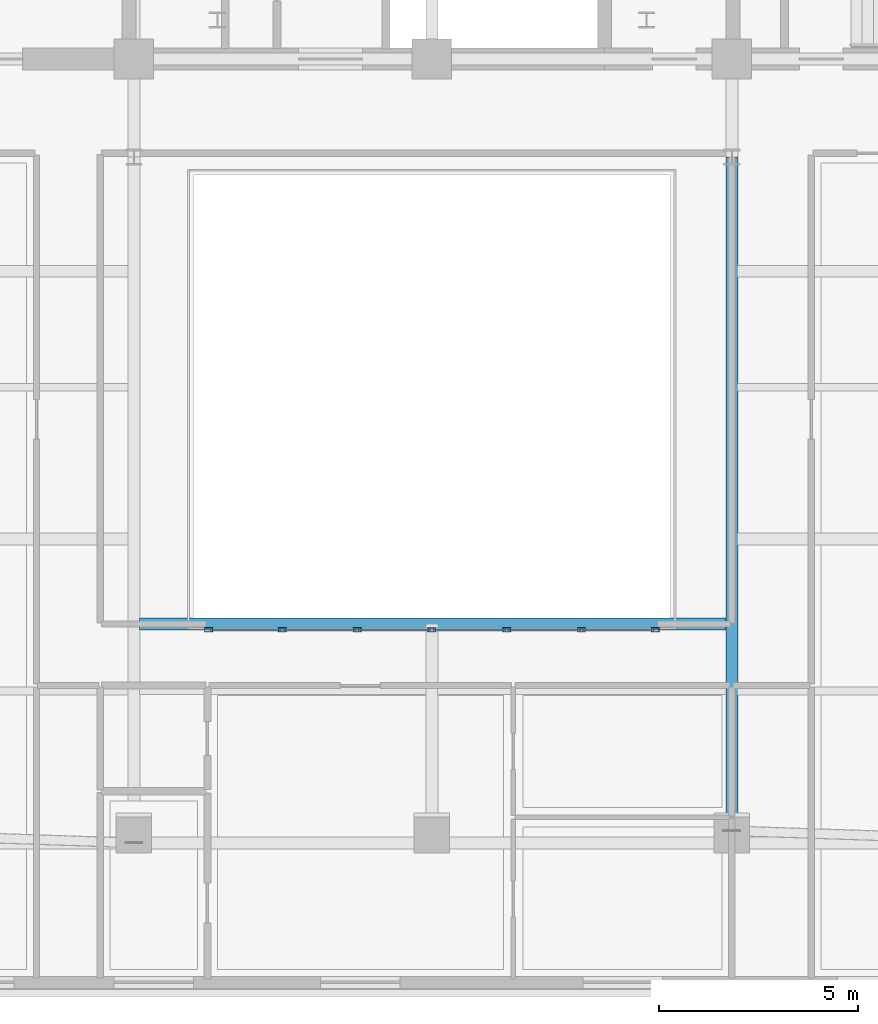
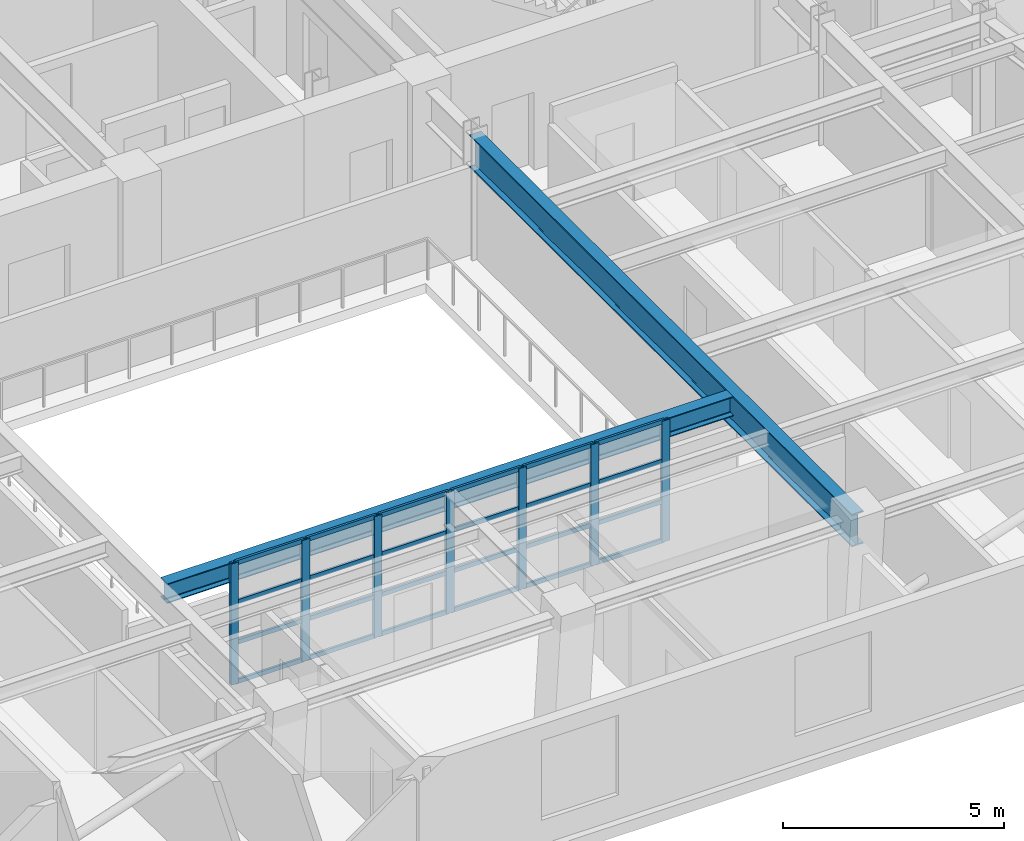
# One storey, part 2 of 15: 31 members, 2 beams, 1 element without a shape of its own.
"""IFC4 building model written with IfcOpenShell, lengths in metres."""

import ifcopenshell
import ifcopenshell.guid

model = None  # the IFC model being written
_history = None  # IfcOwnerHistory: only IFC2X3 demands one
_inside = {}  # id of a spatial element -> (the spatial element, [elements in it])
_under = {}  # id of a project, library or spatial element -> (it, [spatial elements below it])
_declared = {}  # id of a project -> (the project, [libraries it declares])
_typed = {}  # id of a type object -> (the type object, [elements of that type])
_made_of = {}  # id of a material, layer set ... -> (it, [elements and type objects made of it])


def new_model(schema):
    """Start an empty IFC model of exactly this schema.

    Asked for "IFC4X3", IfcOpenShell would pick the latest addendum, in which some entities
    have other attributes; the version numbers below select the first issue.
    IFC2X3 requires an IfcOwnerHistory on every rooted entity: one is made here for all.
    """
    global model, _history
    if schema == "IFC4X3":
        model = ifcopenshell.file(schema_version=(4, 3, 0, 0))
    else:
        model = ifcopenshell.file(schema=schema)
    _inside.clear()
    _under.clear()
    _declared.clear()
    _typed.clear()
    _made_of.clear()
    _history = None
    if model.schema == "IFC2X3":
        org = make("IfcOrganization", Name="unknown")
        user = make(
            "IfcPersonAndOrganization",
            ThePerson=make("IfcPerson", FamilyName="unknown"),
            TheOrganization=org,
        )
        app = make(
            "IfcApplication",
            ApplicationDeveloper=org,
            Version="unknown",
            ApplicationFullName="unknown",
            ApplicationIdentifier="unknown",
        )
        _history = make(
            "IfcOwnerHistory",
            OwningUser=user,
            OwningApplication=app,
            ChangeAction="ADDED",
            CreationDate=0,
        )
    return model


def make(cls, **values):
    """One entity of the class cls with the attributes given. An attribute that is None is left unset."""
    return model.create_entity(
        cls, **{name: value for name, value in values.items() if value is not None}
    )


def rooted(cls, **values):
    """An entity with a GlobalId (a new one), such as an element, a storey or a relation."""
    return make(cls, GlobalId=ifcopenshell.guid.new(), OwnerHistory=_history, **values)


def si_unit(unit_type, name, prefix=None):
    """IfcSIUnit, for example si_unit("LENGTHUNIT", "METRE", prefix="MILLI")."""
    return make("IfcSIUnit", UnitType=unit_type, Prefix=prefix, Name=name)


def assignment(units):
    """IfcUnitAssignment: the units of a project."""
    return None if units is None else make("IfcUnitAssignment", Units=units)


def point(xyz):
    """IfcCartesianPoint."""
    return None if xyz is None else make("IfcCartesianPoint", Coordinates=xyz)


def direction(xyz):
    """IfcDirection."""
    return None if xyz is None else make("IfcDirection", DirectionRatios=xyz)


def frame(location, z_axis=None, x_axis=None):
    """IfcAxis2Placement3D, a coordinate frame: its origin and axes. An axis left out is left unset."""
    return make(
        "IfcAxis2Placement3D",
        Location=point(location),
        Axis=direction(z_axis),
        RefDirection=direction(x_axis),
    )


def frame_2d(location, x_axis=None):
    """IfcAxis2Placement2D, a coordinate frame in the plane: its origin and x axis."""
    return make(
        "IfcAxis2Placement2D", Location=point(location), RefDirection=direction(x_axis)
    )


def origin():
    """The frame at (0, 0, 0) with its axes left unset."""
    return frame((0.0, 0.0, 0.0))


def origin_2d():
    """The frame at (0, 0) in the plane with its x axis left unset."""
    return frame_2d((0.0, 0.0))


def place(relative_to, where):
    """IfcLocalPlacement: puts the frame where relative to a parent placement (None: the world)."""
    return make(
        "IfcLocalPlacement", PlacementRelTo=relative_to, RelativePlacement=where
    )


def context(
    kind, dimensions, precision=None, world=None, true_north=None, identifier=None
):
    """IfcGeometricRepresentationContext, for example the 3D "Model" context."""
    return make(
        "IfcGeometricRepresentationContext",
        ContextIdentifier=identifier,
        ContextType=kind,
        CoordinateSpaceDimension=dimensions,
        Precision=precision,
        WorldCoordinateSystem=world,
        TrueNorth=true_north,
    )


def subcontext(parent, identifier, kind, view, scale=None):
    """IfcGeometricRepresentationSubContext, for example "Body" below "Model"."""
    return make(
        "IfcGeometricRepresentationSubContext",
        ContextIdentifier=identifier,
        ContextType=kind,
        ParentContext=parent,
        TargetScale=scale,
        TargetView=view,
    )


def project(units=None, contexts=None):
    """IfcProject with its units and contexts."""
    return rooted(
        "IfcProject",
        Name="project",
        RepresentationContexts=contexts,
        UnitsInContext=assignment(units),
    )


def spatial(cls, under=None, at=None, **own):
    """A site, building, storey or space (cls), placed at a placement, below another one or the project."""
    s = rooted(cls, ObjectPlacement=at, **own)
    if under is not None:
        _under.setdefault(under.id(), (under, []))[1].append(s)
    return s


def profile(cls, at=None, kind="AREA", **sizes):
    """A parametric profile (cls). Its sizes go by their IFC names, for example OverallWidth=200.0."""
    return make(cls, ProfileType=kind, Position=at, **sizes)


def hollow_rectangle(**sizes):
    """IfcRectangleHollowProfileDef."""
    return profile("IfcRectangleHollowProfileDef", **sizes)


def i_section(**sizes):
    """IfcIShapeProfileDef."""
    return profile("IfcIShapeProfileDef", **sizes)


def extrude(swept, where, along, depth):
    """IfcExtrudedAreaSolid: the profile swept, set in the frame where, extruded along a direction by depth."""
    return make(
        "IfcExtrudedAreaSolid",
        SweptArea=swept,
        Position=where,
        ExtrudedDirection=direction(along),
        Depth=depth,
    )


def shape(context_of_items, identifier, shape_type, items):
    """IfcShapeRepresentation: the items that make up one representation, for example the "Body"."""
    return make(
        "IfcShapeRepresentation",
        ContextOfItems=context_of_items,
        RepresentationIdentifier=identifier,
        RepresentationType=shape_type,
        Items=items,
    )


def material(Name=None, Category=None):
    """IfcMaterial."""
    return make("IfcMaterial", Name=Name, Category=Category)


def layer(
    of_material, thickness, ventilated=None, Name=None, Category=None, Priority=None
):
    """IfcMaterialLayer: one layer of a wall or slab, of a material (None: an air gap)."""
    return make(
        "IfcMaterialLayer",
        Material=of_material,
        LayerThickness=thickness,
        IsVentilated=ventilated,
        Name=Name,
        Category=Category,
        Priority=Priority,
    )


def layer_set(layers, Name=None):
    """IfcMaterialLayerSet."""
    return make("IfcMaterialLayerSet", MaterialLayers=layers, LayerSetName=Name)


def material_profile(
    of_material, cross_section, Name=None, Category=None, Priority=None
):
    """IfcMaterialProfile: a cross section and its material."""
    return make(
        "IfcMaterialProfile",
        Name=Name,
        Material=of_material,
        Profile=cross_section,
        Priority=Priority,
        Category=Category,
    )


def profile_set(profiles, Name=None, composite=None):
    """IfcMaterialProfileSet."""
    return make(
        "IfcMaterialProfileSet",
        Name=Name,
        MaterialProfiles=profiles,
        CompositeProfile=composite,
    )


def made_of(thing, what):
    """Note that an element or type object is made of a material, layer set ...; save() writes the relation."""
    if what is not None:
        _made_of.setdefault(what.id(), (what, []))[1].append(thing)
    return thing


def type_object(cls, material=None, **own):
    """A type object (cls), such as IfcWallType, which elements share."""
    return made_of(rooted(cls, **own), material)


def element(
    cls,
    number,
    at=None,
    inside=None,
    cuts=None,
    type_object=None,
    material=None,
    context=None,
    identifier="Body",
    shape_type=None,
    held_by="IfcProductDefinitionShape",
    body=None,
    shapes=None,
    **own,
):
    """One element of the class cls, such as IfcWall. Its Tag is "e" and its number.

    at: its placement. inside: the storey or other place that contains it. cuts: it is an
    opening in that element (IfcRelVoidsElement). A single representation is given by context,
    identifier, shape_type and body (its items); several are given by shapes. held_by: the class
    of the entity that holds the representations. save() writes the other relations.
    """
    e = rooted(cls, Tag="e%d" % number, ObjectPlacement=at, **own)
    if body is not None:
        shapes = [shape(context, identifier, shape_type, body)]
    if shapes is not None:
        e.Representation = make(held_by, Representations=shapes)
    if inside is not None:
        _inside.setdefault(inside.id(), (inside, []))[1].append(e)
    if cuts is not None:
        rooted(
            "IfcRelVoidsElement", RelatingBuildingElement=cuts, RelatedOpeningElement=e
        )
    if type_object is not None:
        _typed.setdefault(type_object.id(), (type_object, []))[1].append(e)
    return made_of(e, material)


def aggregate(whole, parts):
    """IfcRelAggregates: a whole, such as a stair, and the parts it consists of."""
    return rooted("IfcRelAggregates", RelatingObject=whole, RelatedObjects=parts)


def save(model, path):
    """Write the relations noted so far, then the file.

    IfcRelAggregates (storeys below a building ...), IfcRelContainedInSpatialStructure (elements
    in a storey), IfcRelDefinesByType, IfcRelAssociatesMaterial and IfcRelDeclares: one each for
    every whole, place, type object, material and project.
    """
    for whole, parts in _under.values():
        aggregate(whole, parts)
    for where, things in _inside.values():
        rooted(
            "IfcRelContainedInSpatialStructure",
            RelatedElements=things,
            RelatingStructure=where,
        )
    for kind, things in _typed.values():
        rooted("IfcRelDefinesByType", RelatedObjects=things, RelatingType=kind)
    for what, things in _made_of.values():
        rooted("IfcRelAssociatesMaterial", RelatedObjects=things, RelatingMaterial=what)
    for by, libraries in _declared.values():
        rooted("IfcRelDeclares", RelatingContext=by, RelatedDefinitions=libraries)
    model.write(path)


model = new_model("IFC4")

# Units and contexts
model_context = context("Model", 3, precision=1e-05, world=origin(), true_north=direction((0.0, 1.0)))
body_context = subcontext(model_context, "Body", "Model", "MODEL_VIEW")
ifc_project = project(units=[si_unit("LENGTHUNIT", "METRE"), si_unit("AREAUNIT", "SQUARE_METRE"), si_unit("VOLUMEUNIT", "CUBIC_METRE"), si_unit("PLANEANGLEUNIT", "RADIAN"), si_unit("MASSUNIT", "GRAM", prefix="KILO")], contexts=[model_context])

# Site, building, storey
site_placement = place(None, origin())
site = spatial("IfcSite", under=ifc_project, at=site_placement, CompositionType="ELEMENT")
building_placement = place(site_placement, origin())
building = spatial("IfcBuilding", under=site, at=building_placement, Name="Zarnavel Station Tower", CompositionType="ELEMENT")
storey_placement = place(building_placement, frame((0.0, 0.0, 196.800048828125)))
storey = spatial("IfcBuildingStorey", under=building, at=storey_placement, Name="L53", CompositionType="ELEMENT", Elevation=196.800048828125)

# Curtain wall, members
ifc_material_1 = material(Name="Aluminium Dark Anodised and Solar-Control Glass", Category="aluminium")
ifc_layer = layer(ifc_material_1, 0.179931640625)
ifc_layer_set = layer_set([ifc_layer], Name="CWS5")
curtain_wall_type = type_object("IfcCurtainWallType", Name="CWS5", PredefinedType="NOTDEFINED", material=ifc_layer_set)
curtain_wall_placement = place(storey_placement, origin())
curtain_wall = element("IfcCurtainWall", 1, at=curtain_wall_placement, inside=storey, type_object=curtain_wall_type, Name="L53 Curtain Wall CWS5-L53-AS", PredefinedType="NOTDEFINED")
ifc_material_2 = material(Name="Steel S355J2 (Black Fluoropolymer Coated)", Category="steel")
ifc_material_profile_1 = material_profile(ifc_material_2, hollow_rectangle(XDim=0.10009765625, YDim=0.199951171875, WallThickness=0.008056640625, at=origin_2d()), Name="RHS200x100x8")
ifc_profile_set_1 = profile_set([ifc_material_profile_1], Name="Steel S355J2 (Black Fluoropolymer Coated)")
member_type_1 = type_object("IfcMemberType", Name="CWS5_MUL", PredefinedType="MULLION", material=ifc_profile_set_1)
member_1_placement = place(storey_placement, frame((23.179931640625, 13.449951171875, 0.0), z_axis=(0.0, 0.0, 1.0), x_axis=(0.0, 1.0, 0.0)))
member_1 = element("IfcMember", 2, at=member_1_placement, type_object=member_type_1, Name="CW5 mullion 1", PredefinedType="MULLION", context=body_context, shape_type="SweptSolid", body=[
    extrude(hollow_rectangle(XDim=0.10009765625, YDim=0.199951171875, WallThickness=0.008056640625, at=origin_2d()), origin(), (0.0, 0.0, 1.0), 3.33984375),
])
member_2_placement = place(storey_placement, frame((25.033447265625, 13.449951171875, 0.0), z_axis=(0.0, 0.0, 1.0), x_axis=(0.0, 1.0, 0.0)))
member_2 = element("IfcMember", 3, at=member_2_placement, type_object=member_type_1, Name="CW5 mullion 2", PredefinedType="MULLION", context=body_context, shape_type="SweptSolid", body=[
    extrude(hollow_rectangle(XDim=0.10009765625, YDim=0.199951171875, WallThickness=0.008056640625, at=origin_2d()), origin(), (0.0, 0.0, 1.0), 3.33984375),
])
member_3_placement = place(storey_placement, frame((26.916748046875, 13.449951171875, 0.0), z_axis=(0.0, 0.0, 1.0), x_axis=(0.0, 1.0, 0.0)))
member_3 = element("IfcMember", 4, at=member_3_placement, type_object=member_type_1, Name="CW5 mullion 3", PredefinedType="MULLION", context=body_context, shape_type="SweptSolid", body=[
    extrude(hollow_rectangle(XDim=0.10009765625, YDim=0.199951171875, WallThickness=0.008056640625, at=origin_2d()), origin(), (0.0, 0.0, 1.0), 3.33984375),
])
member_4_placement = place(storey_placement, frame((28.800048828125, 13.449951171875, 0.0), z_axis=(0.0, 0.0, 1.0), x_axis=(0.0, 1.0, 0.0)))
member_4 = element("IfcMember", 5, at=member_4_placement, type_object=member_type_1, Name="CW5 mullion 4", PredefinedType="MULLION", context=body_context, shape_type="SweptSolid", body=[
    extrude(hollow_rectangle(XDim=0.10009765625, YDim=0.199951171875, WallThickness=0.008056640625, at=origin_2d()), origin(), (0.0, 0.0, 1.0), 3.33984375),
])
member_5_placement = place(storey_placement, frame((30.683349609375, 13.449951171875, 0.0), z_axis=(0.0, 0.0, 1.0), x_axis=(0.0, 1.0, 0.0)))
member_5 = element("IfcMember", 6, at=member_5_placement, type_object=member_type_1, Name="CW5 mullion 5", PredefinedType="MULLION", context=body_context, shape_type="SweptSolid", body=[
    extrude(hollow_rectangle(XDim=0.10009765625, YDim=0.199951171875, WallThickness=0.008056640625, at=origin_2d()), origin(), (0.0, 0.0, 1.0), 3.33984375),
])
member_6_placement = place(storey_placement, frame((32.566650390625, 13.449951171875, 0.0), z_axis=(0.0, 0.0, 1.0), x_axis=(0.0, 1.0, 0.0)))
member_6 = element("IfcMember", 7, at=member_6_placement, type_object=member_type_1, Name="CW5 mullion 6", PredefinedType="MULLION", context=body_context, shape_type="SweptSolid", body=[
    extrude(hollow_rectangle(XDim=0.10009765625, YDim=0.199951171875, WallThickness=0.008056640625, at=origin_2d()), origin(), (0.0, 0.0, 1.0), 3.33984375),
])
member_7_placement = place(storey_placement, frame((34.419921875, 13.449951171875, 0.0), z_axis=(0.0, 0.0, 1.0), x_axis=(0.0, 1.0, 0.0)))
member_7 = element("IfcMember", 8, at=member_7_placement, type_object=member_type_1, Name="CW5 mullion 7", PredefinedType="MULLION", context=body_context, shape_type="SweptSolid", body=[
    extrude(hollow_rectangle(XDim=0.10009765625, YDim=0.199951171875, WallThickness=0.008056640625, at=origin_2d()), origin(), (0.0, 0.0, 1.0), 3.33984375),
])
ifc_material_3 = material(Name="Steel S355J2 (Black Fluoropolymer Coated)", Category="steel")
ifc_material_profile_2 = material_profile(ifc_material_3, hollow_rectangle(XDim=0.06005859375, YDim=0.1201171875, WallThickness=0.0048828125, at=origin_2d()), Name="RHS120x60x5")
ifc_profile_set_2 = profile_set([ifc_material_profile_2], Name="Steel S355J2 (Black Fluoropolymer Coated)")
member_type_2 = type_object("IfcMemberType", Name="CWS5_TRN", PredefinedType="USERDEFINED", material=ifc_profile_set_2)
member_8_placement = place(storey_placement, frame((23.2099609375, 13.449951171875, 0.030029296875), z_axis=(1.0, 0.0, 0.0), x_axis=(0.0, 1.0, 0.0)))
member_8 = element("IfcMember", 9, at=member_8_placement, type_object=member_type_2, Name="CW5 transom 1.1", ObjectType="TRANSOM", PredefinedType="USERDEFINED", context=body_context, shape_type="SweptSolid", body=[
    extrude(hollow_rectangle(XDim=0.06005859375, YDim=0.1201171875, WallThickness=0.0048828125, at=origin_2d()), origin(), (0.0, 0.0, 1.0), 1.79345703125),
])
member_9_placement = place(storey_placement, frame((23.2099609375, 13.449951171875, 1.11328125), z_axis=(1.0, 0.0, 0.0), x_axis=(0.0, 1.0, 0.0)))
member_9 = element("IfcMember", 10, at=member_9_placement, type_object=member_type_2, Name="CW5 transom 1.2", ObjectType="TRANSOM", PredefinedType="USERDEFINED", context=body_context, shape_type="SweptSolid", body=[
    extrude(hollow_rectangle(XDim=0.06005859375, YDim=0.1201171875, WallThickness=0.0048828125, at=origin_2d()), origin(), (0.0, 0.0, 1.0), 1.79345703125),
])
member_10_placement = place(storey_placement, frame((23.2099609375, 13.449951171875, 2.2265625), z_axis=(1.0, 0.0, 0.0), x_axis=(0.0, 1.0, 0.0)))
member_10 = element("IfcMember", 11, at=member_10_placement, type_object=member_type_2, Name="CW5 transom 1.3", ObjectType="TRANSOM", PredefinedType="USERDEFINED", context=body_context, shape_type="SweptSolid", body=[
    extrude(hollow_rectangle(XDim=0.06005859375, YDim=0.1201171875, WallThickness=0.0048828125, at=origin_2d()), origin(), (0.0, 0.0, 1.0), 1.79345703125),
])
member_11_placement = place(storey_placement, frame((23.2099609375, 13.449951171875, 3.31005859375), z_axis=(1.0, 0.0, 0.0), x_axis=(0.0, 1.0, 0.0)))
member_11 = element("IfcMember", 12, at=member_11_placement, type_object=member_type_2, Name="CW5 transom 1.4", ObjectType="TRANSOM", PredefinedType="USERDEFINED", context=body_context, shape_type="SweptSolid", body=[
    extrude(hollow_rectangle(XDim=0.06005859375, YDim=0.1201171875, WallThickness=0.0048828125, at=origin_2d()), origin(), (0.0, 0.0, 1.0), 1.79345703125),
])
member_12_placement = place(storey_placement, frame((25.063232421875, 13.449951171875, 0.030029296875), z_axis=(1.0, 0.0, 0.0), x_axis=(0.0, 1.0, 0.0)))
member_12 = element("IfcMember", 13, at=member_12_placement, type_object=member_type_2, Name="CW5 transom 2.1", ObjectType="TRANSOM", PredefinedType="USERDEFINED", context=body_context, shape_type="SweptSolid", body=[
    extrude(hollow_rectangle(XDim=0.06005859375, YDim=0.1201171875, WallThickness=0.0048828125, at=origin_2d()), origin(), (0.0, 0.0, 1.0), 1.823486328125),
])
member_13_placement = place(storey_placement, frame((25.063232421875, 13.449951171875, 1.11328125), z_axis=(1.0, 0.0, 0.0), x_axis=(0.0, 1.0, 0.0)))
member_13 = element("IfcMember", 14, at=member_13_placement, type_object=member_type_2, Name="CW5 transom 2.2", ObjectType="TRANSOM", PredefinedType="USERDEFINED", context=body_context, shape_type="SweptSolid", body=[
    extrude(hollow_rectangle(XDim=0.06005859375, YDim=0.1201171875, WallThickness=0.0048828125, at=origin_2d()), origin(), (0.0, 0.0, 1.0), 1.823486328125),
])
member_14_placement = place(storey_placement, frame((25.063232421875, 13.449951171875, 2.2265625), z_axis=(1.0, 0.0, 0.0), x_axis=(0.0, 1.0, 0.0)))
member_14 = element("IfcMember", 15, at=member_14_placement, type_object=member_type_2, Name="CW5 transom 2.3", ObjectType="TRANSOM", PredefinedType="USERDEFINED", context=body_context, shape_type="SweptSolid", body=[
    extrude(hollow_rectangle(XDim=0.06005859375, YDim=0.1201171875, WallThickness=0.0048828125, at=origin_2d()), origin(), (0.0, 0.0, 1.0), 1.823486328125),
])
member_15_placement = place(storey_placement, frame((25.063232421875, 13.449951171875, 3.31005859375), z_axis=(1.0, 0.0, 0.0), x_axis=(0.0, 1.0, 0.0)))
member_15 = element("IfcMember", 16, at=member_15_placement, type_object=member_type_2, Name="CW5 transom 2.4", ObjectType="TRANSOM", PredefinedType="USERDEFINED", context=body_context, shape_type="SweptSolid", body=[
    extrude(hollow_rectangle(XDim=0.06005859375, YDim=0.1201171875, WallThickness=0.0048828125, at=origin_2d()), origin(), (0.0, 0.0, 1.0), 1.823486328125),
])
member_16_placement = place(storey_placement, frame((26.94677734375, 13.449951171875, 0.030029296875), z_axis=(1.0, 0.0, 0.0), x_axis=(0.0, 1.0, 0.0)))
member_16 = element("IfcMember", 17, at=member_16_placement, type_object=member_type_2, Name="CW5 transom 3.1", ObjectType="TRANSOM", PredefinedType="USERDEFINED", context=body_context, shape_type="SweptSolid", body=[
    extrude(hollow_rectangle(XDim=0.06005859375, YDim=0.1201171875, WallThickness=0.0048828125, at=origin_2d()), origin(), (0.0, 0.0, 1.0), 1.8232421875),
])
member_17_placement = place(storey_placement, frame((26.94677734375, 13.449951171875, 1.11328125), z_axis=(1.0, 0.0, 0.0), x_axis=(0.0, 1.0, 0.0)))
member_17 = element("IfcMember", 18, at=member_17_placement, type_object=member_type_2, Name="CW5 transom 3.2", ObjectType="TRANSOM", PredefinedType="USERDEFINED", context=body_context, shape_type="SweptSolid", body=[
    extrude(hollow_rectangle(XDim=0.06005859375, YDim=0.1201171875, WallThickness=0.0048828125, at=origin_2d()), origin(), (0.0, 0.0, 1.0), 1.8232421875),
])
member_18_placement = place(storey_placement, frame((26.94677734375, 13.449951171875, 2.2265625), z_axis=(1.0, 0.0, 0.0), x_axis=(0.0, 1.0, 0.0)))
member_18 = element("IfcMember", 19, at=member_18_placement, type_object=member_type_2, Name="CW5 transom 3.3", ObjectType="TRANSOM", PredefinedType="USERDEFINED", context=body_context, shape_type="SweptSolid", body=[
    extrude(hollow_rectangle(XDim=0.06005859375, YDim=0.1201171875, WallThickness=0.0048828125, at=origin_2d()), origin(), (0.0, 0.0, 1.0), 1.8232421875),
])
member_19_placement = place(storey_placement, frame((26.94677734375, 13.449951171875, 3.31005859375), z_axis=(1.0, 0.0, 0.0), x_axis=(0.0, 1.0, 0.0)))
member_19 = element("IfcMember", 20, at=member_19_placement, type_object=member_type_2, Name="CW5 transom 3.4", ObjectType="TRANSOM", PredefinedType="USERDEFINED", context=body_context, shape_type="SweptSolid", body=[
    extrude(hollow_rectangle(XDim=0.06005859375, YDim=0.1201171875, WallThickness=0.0048828125, at=origin_2d()), origin(), (0.0, 0.0, 1.0), 1.8232421875),
])
member_20_placement = place(storey_placement, frame((28.830078125, 13.449951171875, 0.030029296875), z_axis=(1.0, 0.0, 0.0), x_axis=(0.0, 1.0, 0.0)))
member_20 = element("IfcMember", 21, at=member_20_placement, type_object=member_type_2, Name="CW5 transom 4.1", ObjectType="TRANSOM", PredefinedType="USERDEFINED", context=body_context, shape_type="SweptSolid", body=[
    extrude(hollow_rectangle(XDim=0.06005859375, YDim=0.1201171875, WallThickness=0.0048828125, at=origin_2d()), origin(), (0.0, 0.0, 1.0), 1.8232421875),
])
member_21_placement = place(storey_placement, frame((28.830078125, 13.449951171875, 1.11328125), z_axis=(1.0, 0.0, 0.0), x_axis=(0.0, 1.0, 0.0)))
member_21 = element("IfcMember", 22, at=member_21_placement, type_object=member_type_2, Name="CW5 transom 4.2", ObjectType="TRANSOM", PredefinedType="USERDEFINED", context=body_context, shape_type="SweptSolid", body=[
    extrude(hollow_rectangle(XDim=0.06005859375, YDim=0.1201171875, WallThickness=0.0048828125, at=origin_2d()), origin(), (0.0, 0.0, 1.0), 1.8232421875),
])
member_22_placement = place(storey_placement, frame((28.830078125, 13.449951171875, 2.2265625), z_axis=(1.0, 0.0, 0.0), x_axis=(0.0, 1.0, 0.0)))
member_22 = element("IfcMember", 23, at=member_22_placement, type_object=member_type_2, Name="CW5 transom 4.3", ObjectType="TRANSOM", PredefinedType="USERDEFINED", context=body_context, shape_type="SweptSolid", body=[
    extrude(hollow_rectangle(XDim=0.06005859375, YDim=0.1201171875, WallThickness=0.0048828125, at=origin_2d()), origin(), (0.0, 0.0, 1.0), 1.8232421875),
])
member_23_placement = place(storey_placement, frame((28.830078125, 13.449951171875, 3.31005859375), z_axis=(1.0, 0.0, 0.0), x_axis=(0.0, 1.0, 0.0)))
member_23 = element("IfcMember", 24, at=member_23_placement, type_object=member_type_2, Name="CW5 transom 4.4", ObjectType="TRANSOM", PredefinedType="USERDEFINED", context=body_context, shape_type="SweptSolid", body=[
    extrude(hollow_rectangle(XDim=0.06005859375, YDim=0.1201171875, WallThickness=0.0048828125, at=origin_2d()), origin(), (0.0, 0.0, 1.0), 1.8232421875),
])
member_24_placement = place(storey_placement, frame((30.71337890625, 13.449951171875, 0.030029296875), z_axis=(1.0, 0.0, 0.0), x_axis=(0.0, 1.0, 0.0)))
member_24 = element("IfcMember", 25, at=member_24_placement, type_object=member_type_2, Name="CW5 transom 5.1", ObjectType="TRANSOM", PredefinedType="USERDEFINED", context=body_context, shape_type="SweptSolid", body=[
    extrude(hollow_rectangle(XDim=0.06005859375, YDim=0.1201171875, WallThickness=0.0048828125, at=origin_2d()), origin(), (0.0, 0.0, 1.0), 1.8232421875),
])
member_25_placement = place(storey_placement, frame((30.71337890625, 13.449951171875, 1.11328125), z_axis=(1.0, 0.0, 0.0), x_axis=(0.0, 1.0, 0.0)))
member_25 = element("IfcMember", 26, at=member_25_placement, type_object=member_type_2, Name="CW5 transom 5.2", ObjectType="TRANSOM", PredefinedType="USERDEFINED", context=body_context, shape_type="SweptSolid", body=[
    extrude(hollow_rectangle(XDim=0.06005859375, YDim=0.1201171875, WallThickness=0.0048828125, at=origin_2d()), origin(), (0.0, 0.0, 1.0), 1.8232421875),
])
member_26_placement = place(storey_placement, frame((30.71337890625, 13.449951171875, 2.2265625), z_axis=(1.0, 0.0, 0.0), x_axis=(0.0, 1.0, 0.0)))
member_26 = element("IfcMember", 27, at=member_26_placement, type_object=member_type_2, Name="CW5 transom 5.3", ObjectType="TRANSOM", PredefinedType="USERDEFINED", context=body_context, shape_type="SweptSolid", body=[
    extrude(hollow_rectangle(XDim=0.06005859375, YDim=0.1201171875, WallThickness=0.0048828125, at=origin_2d()), origin(), (0.0, 0.0, 1.0), 1.8232421875),
])
member_27_placement = place(storey_placement, frame((30.71337890625, 13.449951171875, 3.31005859375), z_axis=(1.0, 0.0, 0.0), x_axis=(0.0, 1.0, 0.0)))
member_27 = element("IfcMember", 28, at=member_27_placement, type_object=member_type_2, Name="CW5 transom 5.4", ObjectType="TRANSOM", PredefinedType="USERDEFINED", context=body_context, shape_type="SweptSolid", body=[
    extrude(hollow_rectangle(XDim=0.06005859375, YDim=0.1201171875, WallThickness=0.0048828125, at=origin_2d()), origin(), (0.0, 0.0, 1.0), 1.8232421875),
])
member_28_placement = place(storey_placement, frame((32.5966796875, 13.449951171875, 0.030029296875), z_axis=(1.0, 0.0, 0.0), x_axis=(0.0, 1.0, 0.0)))
member_28 = element("IfcMember", 29, at=member_28_placement, type_object=member_type_2, Name="CW5 transom 6.1", ObjectType="TRANSOM", PredefinedType="USERDEFINED", context=body_context, shape_type="SweptSolid", body=[
    extrude(hollow_rectangle(XDim=0.06005859375, YDim=0.1201171875, WallThickness=0.0048828125, at=origin_2d()), origin(), (0.0, 0.0, 1.0), 1.793212890625),
])
member_29_placement = place(storey_placement, frame((32.5966796875, 13.449951171875, 1.11328125), z_axis=(1.0, 0.0, 0.0), x_axis=(0.0, 1.0, 0.0)))
member_29 = element("IfcMember", 30, at=member_29_placement, type_object=member_type_2, Name="CW5 transom 6.2", ObjectType="TRANSOM", PredefinedType="USERDEFINED", context=body_context, shape_type="SweptSolid", body=[
    extrude(hollow_rectangle(XDim=0.06005859375, YDim=0.1201171875, WallThickness=0.0048828125, at=origin_2d()), origin(), (0.0, 0.0, 1.0), 1.793212890625),
])
member_30_placement = place(storey_placement, frame((32.5966796875, 13.449951171875, 2.2265625), z_axis=(1.0, 0.0, 0.0), x_axis=(0.0, 1.0, 0.0)))
member_30 = element("IfcMember", 31, at=member_30_placement, type_object=member_type_2, Name="CW5 transom 6.3", ObjectType="TRANSOM", PredefinedType="USERDEFINED", context=body_context, shape_type="SweptSolid", body=[
    extrude(hollow_rectangle(XDim=0.06005859375, YDim=0.1201171875, WallThickness=0.0048828125, at=origin_2d()), origin(), (0.0, 0.0, 1.0), 1.793212890625),
])
member_31_placement = place(storey_placement, frame((32.5966796875, 13.449951171875, 3.31005859375), z_axis=(1.0, 0.0, 0.0), x_axis=(0.0, 1.0, 0.0)))
member_31 = element("IfcMember", 32, at=member_31_placement, type_object=member_type_2, Name="CW5 transom 6.4", ObjectType="TRANSOM", PredefinedType="USERDEFINED", context=body_context, shape_type="SweptSolid", body=[
    extrude(hollow_rectangle(XDim=0.06005859375, YDim=0.1201171875, WallThickness=0.0048828125, at=origin_2d()), origin(), (0.0, 0.0, 1.0), 1.793212890625),
])
aggregate(curtain_wall, [member_1, member_2, member_3, member_4, member_5, member_6, member_7, member_8, member_9, member_10, member_11, member_12, member_13, member_14, member_15, member_16, member_17, member_18, member_19, member_20, member_21, member_22, member_23, member_24, member_25, member_26, member_27, member_28, member_29, member_30, member_31])

# Beams
ifc_material_4 = material(Name="Steel S355J2", Category="steel")
ifc_material_profile_3 = material_profile(ifc_material_4, i_section(OverallWidth=0.300048828125, OverallDepth=0.5400390625, WebThickness=0.012451171875, FlangeThickness=0.02392578125, FilletRadius=0.027099609375, at=origin_2d()), Name="HEA550")
ifc_profile_set_3 = profile_set([ifc_material_profile_3], Name="Steel S355J2")
beam_type_1 = type_object("IfcBeamType", Name="FB_HEA550", PredefinedType="BEAM", material=ifc_profile_set_3)
beam_1_placement = place(storey_placement, frame((21.445068359375, 13.60009765625, 3.070068359375), z_axis=(1.0, 0.0, 0.0), x_axis=(0.0, 1.0, 0.0)))
element("IfcBeam", 33, at=beam_1_placement, inside=storey, type_object=beam_type_1, Name="L53 Atrium South Edge Girder", PredefinedType="BEAM", context=body_context, shape_type="SweptSolid", body=[
    extrude(i_section(OverallWidth=0.300048828125, OverallDepth=0.5400390625, WebThickness=0.012451171875, FlangeThickness=0.02392578125, FilletRadius=0.027099609375, at=origin_2d()), origin(), (0.0, 0.0, 1.0), 14.760009765625),
])
ifc_material_5 = material(Name="Steel S355J2", Category="steel")
ifc_material_profile_4 = material_profile(ifc_material_5, i_section(OverallWidth=0.300048828125, OverallDepth=0.89990234375, WebThickness=0.0185546875, FlangeThickness=0.034912109375, FilletRadius=0.030029296875, at=origin_2d()), Name="HEB900")
ifc_profile_set_4 = profile_set([ifc_material_profile_4], Name="Steel S355J2")
beam_type_2 = type_object("IfcBeamType", Name="FG_HEB900", PredefinedType="USERDEFINED", material=ifc_profile_set_4)
beam_2_placement = place(storey_placement, frame((36.35009765625, 8.09130859375, 2.889892578125), z_axis=(0.0, 1.0, 0.0), x_axis=(-1.0, 0.0, 0.0)))
element("IfcBeam", 34, at=beam_2_placement, inside=storey, type_object=beam_type_2, Name="L53 South-Zone NS Girder 4", ObjectType="GIRDER", PredefinedType="USERDEFINED", context=body_context, shape_type="SweptSolid", body=[
    extrude(i_section(OverallWidth=0.300048828125, OverallDepth=0.89990234375, WebThickness=0.0185546875, FlangeThickness=0.034912109375, FilletRadius=0.030029296875, at=origin_2d()), origin(), (0.0, 0.0, 1.0), 17.2587890625),
])

save(model, "model.ifc")
